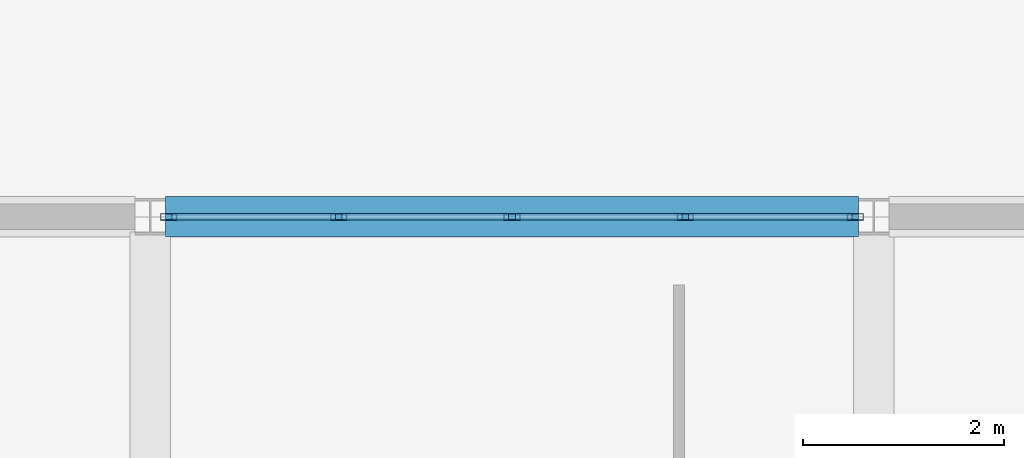
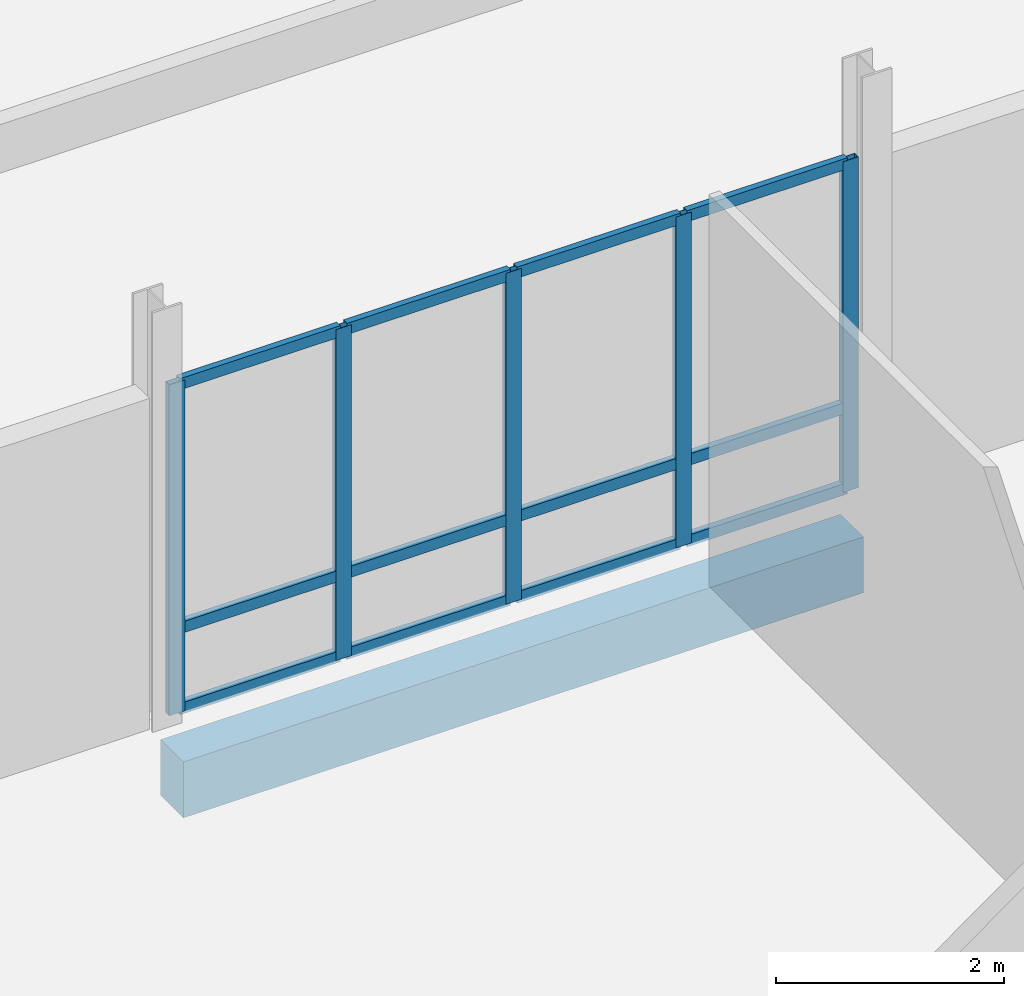
# One storey, part 46 of 139: 17 members, 1 beam, 1 element without a shape of its own.
"""IFC4 building model written with IfcOpenShell, lengths in metres."""

from ifc_helpers import new_model, si_unit, direction, frame, origin, origin_2d, place, context, subcontext, project, spatial, rectangle, hollow_rectangle, extrude, material, material_profile, profile_set, type_object, element, aggregate, save


model = new_model("IFC4")

# Units and contexts
model_context = context("Model", 3, precision=1e-05, world=origin(), true_north=direction((0.0, 1.0)))
body_context = subcontext(model_context, "Body", "Model", "MODEL_VIEW")
ifc_project = project(units=[si_unit("LENGTHUNIT", "METRE"), si_unit("AREAUNIT", "SQUARE_METRE"), si_unit("VOLUMEUNIT", "CUBIC_METRE"), si_unit("PLANEANGLEUNIT", "RADIAN"), si_unit("MASSUNIT", "GRAM", prefix="KILO")], contexts=[model_context])

# Site, building, storey
site_placement = place(None, origin())
site = spatial("IfcSite", under=ifc_project, at=site_placement, CompositionType="ELEMENT")
building_placement = place(site_placement, origin())
building = spatial("IfcBuilding", under=site, at=building_placement, Name="Suanplinth Sawtooth Commons", CompositionType="ELEMENT")
storey_placement = place(building_placement, origin())
storey = spatial("IfcBuildingStorey", under=building, at=storey_placement, Name="L00", CompositionType="ELEMENT", Elevation=0.0)

# Beam
ifc_material_1 = material(Name="Precast concrete C40/50", Category="concrete")
ifc_material_profile_1 = material_profile(ifc_material_1, rectangle(XDim=0.39990234375, YDim=0.60009765625, at=origin_2d()), Name="PC-GDR 400x600")
ifc_profile_set_1 = profile_set([ifc_material_profile_1], Name="Precast concrete C40/50")
beam_type = type_object("IfcBeamType", Name="B-05", PredefinedType="USERDEFINED", material=ifc_profile_set_1)
beam_placement = place(storey_placement, frame((36.14990234375, 72.0, -0.7099609375), z_axis=(1.0, 0.0, 0.0), x_axis=(0.0, 1.0, 0.0)))
element("IfcBeam", 1, at=beam_placement, inside=storey, type_object=beam_type, Name="BMX-L00-MKT-5-10", ObjectType="GIRDER", PredefinedType="USERDEFINED", context=body_context, shape_type="SweptSolid", body=[
    extrude(rectangle(XDim=0.39990234375, YDim=0.60009765625, at=origin_2d()), origin(), (0.0, 0.0, 1.0), 6.900146484375),
])

# Curtain wall, members
ifc_material_2 = material(Name="Anodized aluminium and low-E glazing", Category="aluminium")
curtain_wall_type = type_object("IfcCurtainWallType", Name="CW-02", PredefinedType="USERDEFINED", material=ifc_material_2)
curtain_wall_placement = place(storey_placement, origin())
curtain_wall = element("IfcCurtainWall", 2, at=curtain_wall_placement, inside=storey, type_object=curtain_wall_type, Name="Curtain Wall CW-L00-MKT-N-5", ObjectType="CURTAIN WALL", PredefinedType="USERDEFINED")
ifc_material_3 = material(Name="Anodized aluminium 6063-T6", Category="aluminium")
ifc_material_profile_2 = material_profile(ifc_material_3, hollow_rectangle(XDim=0.06494140625, YDim=0.159912109375, WallThickness=0.00390625, at=origin_2d()), Name="ALU-MUL 65x160")
ifc_profile_set_2 = profile_set([ifc_material_profile_2], Name="Anodized aluminium 6063-T6")
member_type_1 = type_object("IfcMemberType", Name="M-13", PredefinedType="MULLION", material=ifc_profile_set_2)
member_1_placement = place(storey_placement, frame((36.1826171875, 72.0, 0.0), z_axis=(0.0, 0.0, 1.0), x_axis=(0.0, 1.0, 0.0)))
member_1 = element("IfcMember", 3, at=member_1_placement, type_object=member_type_1, Name="CW-02 mullion 1", PredefinedType="MULLION", context=body_context, shape_type="SweptSolid", body=[
    extrude(hollow_rectangle(XDim=0.06494140625, YDim=0.159912109375, WallThickness=0.00390625, at=origin_2d()), origin(), (0.0, 0.0, 1.0), 3.550048828125),
])
member_2_placement = place(storey_placement, frame((37.875, 72.0, 0.0), z_axis=(0.0, 0.0, 1.0), x_axis=(0.0, 1.0, 0.0)))
member_2 = element("IfcMember", 4, at=member_2_placement, type_object=member_type_1, Name="CW-02 mullion 2", PredefinedType="MULLION", context=body_context, shape_type="SweptSolid", body=[
    extrude(hollow_rectangle(XDim=0.06494140625, YDim=0.159912109375, WallThickness=0.00390625, at=origin_2d()), origin(), (0.0, 0.0, 1.0), 3.550048828125),
])
member_3_placement = place(storey_placement, frame((39.60009765625, 72.0, 0.0), z_axis=(0.0, 0.0, 1.0), x_axis=(0.0, 1.0, 0.0)))
member_3 = element("IfcMember", 5, at=member_3_placement, type_object=member_type_1, Name="CW-02 mullion 3", PredefinedType="MULLION", context=body_context, shape_type="SweptSolid", body=[
    extrude(hollow_rectangle(XDim=0.06494140625, YDim=0.159912109375, WallThickness=0.00390625, at=origin_2d()), origin(), (0.0, 0.0, 1.0), 3.550048828125),
])
member_4_placement = place(storey_placement, frame((41.324951171875, 72.0, 0.0), z_axis=(0.0, 0.0, 1.0), x_axis=(0.0, 1.0, 0.0)))
member_4 = element("IfcMember", 6, at=member_4_placement, type_object=member_type_1, Name="CW-02 mullion 4", PredefinedType="MULLION", context=body_context, shape_type="SweptSolid", body=[
    extrude(hollow_rectangle(XDim=0.06494140625, YDim=0.159912109375, WallThickness=0.00390625, at=origin_2d()), origin(), (0.0, 0.0, 1.0), 3.550048828125),
])
member_5_placement = place(storey_placement, frame((43.017578125, 72.0, 0.0), z_axis=(0.0, 0.0, 1.0), x_axis=(0.0, 1.0, 0.0)))
member_5 = element("IfcMember", 7, at=member_5_placement, type_object=member_type_1, Name="CW-02 mullion 5", PredefinedType="MULLION", context=body_context, shape_type="SweptSolid", body=[
    extrude(hollow_rectangle(XDim=0.06494140625, YDim=0.159912109375, WallThickness=0.00390625, at=origin_2d()), origin(), (0.0, 0.0, 1.0), 3.550048828125),
])
ifc_material_profile_3 = material_profile(ifc_material_3, hollow_rectangle(XDim=0.06494140625, YDim=0.1201171875, WallThickness=0.00390625, at=origin_2d()), Name="ALU-TRN 65x120")
ifc_profile_set_3 = profile_set([ifc_material_profile_3], Name="Anodized aluminium 6063-T6")
member_type_2 = type_object("IfcMemberType", Name="M-15", PredefinedType="USERDEFINED", material=ifc_profile_set_3)
member_6_placement = place(storey_placement, frame((36.215087890625, 72.0, 0.032470703125), z_axis=(1.0, 0.0, 0.0), x_axis=(0.0, 1.0, 0.0)))
member_6 = element("IfcMember", 8, at=member_6_placement, type_object=member_type_2, Name="CW-02 transom 1.1", ObjectType="TRANSOM", PredefinedType="USERDEFINED", context=body_context, shape_type="SweptSolid", body=[
    extrude(hollow_rectangle(XDim=0.06494140625, YDim=0.1201171875, WallThickness=0.00390625, at=origin_2d()), origin(), (0.0, 0.0, 1.0), 1.62744140625),
])
member_7_placement = place(storey_placement, frame((36.215087890625, 72.0, 0.89990234375), z_axis=(1.0, 0.0, 0.0), x_axis=(0.0, 1.0, 0.0)))
member_7 = element("IfcMember", 9, at=member_7_placement, type_object=member_type_2, Name="CW-02 transom 1.2", ObjectType="TRANSOM", PredefinedType="USERDEFINED", context=body_context, shape_type="SweptSolid", body=[
    extrude(hollow_rectangle(XDim=0.06494140625, YDim=0.1201171875, WallThickness=0.00390625, at=origin_2d()), origin(), (0.0, 0.0, 1.0), 1.62744140625),
])
member_8_placement = place(storey_placement, frame((36.215087890625, 72.0, 3.517578125), z_axis=(1.0, 0.0, 0.0), x_axis=(0.0, 1.0, 0.0)))
member_8 = element("IfcMember", 10, at=member_8_placement, type_object=member_type_2, Name="CW-02 transom 1.3", ObjectType="TRANSOM", PredefinedType="USERDEFINED", context=body_context, shape_type="SweptSolid", body=[
    extrude(hollow_rectangle(XDim=0.06494140625, YDim=0.1201171875, WallThickness=0.00390625, at=origin_2d()), origin(), (0.0, 0.0, 1.0), 1.62744140625),
])
member_9_placement = place(storey_placement, frame((37.907470703125, 72.0, 0.032470703125), z_axis=(1.0, 0.0, 0.0), x_axis=(0.0, 1.0, 0.0)))
member_9 = element("IfcMember", 11, at=member_9_placement, type_object=member_type_2, Name="CW-02 transom 2.1", ObjectType="TRANSOM", PredefinedType="USERDEFINED", context=body_context, shape_type="SweptSolid", body=[
    extrude(hollow_rectangle(XDim=0.06494140625, YDim=0.1201171875, WallThickness=0.00390625, at=origin_2d()), origin(), (0.0, 0.0, 1.0), 1.659912109375),
])
member_10_placement = place(storey_placement, frame((37.907470703125, 72.0, 0.89990234375), z_axis=(1.0, 0.0, 0.0), x_axis=(0.0, 1.0, 0.0)))
member_10 = element("IfcMember", 12, at=member_10_placement, type_object=member_type_2, Name="CW-02 transom 2.2", ObjectType="TRANSOM", PredefinedType="USERDEFINED", context=body_context, shape_type="SweptSolid", body=[
    extrude(hollow_rectangle(XDim=0.06494140625, YDim=0.1201171875, WallThickness=0.00390625, at=origin_2d()), origin(), (0.0, 0.0, 1.0), 1.659912109375),
])
member_11_placement = place(storey_placement, frame((37.907470703125, 72.0, 3.517578125), z_axis=(1.0, 0.0, 0.0), x_axis=(0.0, 1.0, 0.0)))
member_11 = element("IfcMember", 13, at=member_11_placement, type_object=member_type_2, Name="CW-02 transom 2.3", ObjectType="TRANSOM", PredefinedType="USERDEFINED", context=body_context, shape_type="SweptSolid", body=[
    extrude(hollow_rectangle(XDim=0.06494140625, YDim=0.1201171875, WallThickness=0.00390625, at=origin_2d()), origin(), (0.0, 0.0, 1.0), 1.659912109375),
])
member_12_placement = place(storey_placement, frame((39.632568359375, 72.0, 0.032470703125), z_axis=(1.0, 0.0, 0.0), x_axis=(0.0, 1.0, 0.0)))
member_12 = element("IfcMember", 14, at=member_12_placement, type_object=member_type_2, Name="CW-02 transom 3.1", ObjectType="TRANSOM", PredefinedType="USERDEFINED", context=body_context, shape_type="SweptSolid", body=[
    extrude(hollow_rectangle(XDim=0.06494140625, YDim=0.1201171875, WallThickness=0.00390625, at=origin_2d()), origin(), (0.0, 0.0, 1.0), 1.659912109375),
])
member_13_placement = place(storey_placement, frame((39.632568359375, 72.0, 0.89990234375), z_axis=(1.0, 0.0, 0.0), x_axis=(0.0, 1.0, 0.0)))
member_13 = element("IfcMember", 15, at=member_13_placement, type_object=member_type_2, Name="CW-02 transom 3.2", ObjectType="TRANSOM", PredefinedType="USERDEFINED", context=body_context, shape_type="SweptSolid", body=[
    extrude(hollow_rectangle(XDim=0.06494140625, YDim=0.1201171875, WallThickness=0.00390625, at=origin_2d()), origin(), (0.0, 0.0, 1.0), 1.659912109375),
])
member_14_placement = place(storey_placement, frame((39.632568359375, 72.0, 3.517578125), z_axis=(1.0, 0.0, 0.0), x_axis=(0.0, 1.0, 0.0)))
member_14 = element("IfcMember", 16, at=member_14_placement, type_object=member_type_2, Name="CW-02 transom 3.3", ObjectType="TRANSOM", PredefinedType="USERDEFINED", context=body_context, shape_type="SweptSolid", body=[
    extrude(hollow_rectangle(XDim=0.06494140625, YDim=0.1201171875, WallThickness=0.00390625, at=origin_2d()), origin(), (0.0, 0.0, 1.0), 1.659912109375),
])
member_15_placement = place(storey_placement, frame((41.357421875, 72.0, 0.032470703125), z_axis=(1.0, 0.0, 0.0), x_axis=(0.0, 1.0, 0.0)))
member_15 = element("IfcMember", 17, at=member_15_placement, type_object=member_type_2, Name="CW-02 transom 4.1", ObjectType="TRANSOM", PredefinedType="USERDEFINED", context=body_context, shape_type="SweptSolid", body=[
    extrude(hollow_rectangle(XDim=0.06494140625, YDim=0.1201171875, WallThickness=0.00390625, at=origin_2d()), origin(), (0.0, 0.0, 1.0), 1.627685546875),
])
member_16_placement = place(storey_placement, frame((41.357421875, 72.0, 0.89990234375), z_axis=(1.0, 0.0, 0.0), x_axis=(0.0, 1.0, 0.0)))
member_16 = element("IfcMember", 18, at=member_16_placement, type_object=member_type_2, Name="CW-02 transom 4.2", ObjectType="TRANSOM", PredefinedType="USERDEFINED", context=body_context, shape_type="SweptSolid", body=[
    extrude(hollow_rectangle(XDim=0.06494140625, YDim=0.1201171875, WallThickness=0.00390625, at=origin_2d()), origin(), (0.0, 0.0, 1.0), 1.627685546875),
])
member_17_placement = place(storey_placement, frame((41.357421875, 72.0, 3.517578125), z_axis=(1.0, 0.0, 0.0), x_axis=(0.0, 1.0, 0.0)))
member_17 = element("IfcMember", 19, at=member_17_placement, type_object=member_type_2, Name="CW-02 transom 4.3", ObjectType="TRANSOM", PredefinedType="USERDEFINED", context=body_context, shape_type="SweptSolid", body=[
    extrude(hollow_rectangle(XDim=0.06494140625, YDim=0.1201171875, WallThickness=0.00390625, at=origin_2d()), origin(), (0.0, 0.0, 1.0), 1.627685546875),
])
aggregate(curtain_wall, [member_1, member_2, member_3, member_4, member_5, member_6, member_7, member_8, member_9, member_10, member_11, member_12, member_13, member_14, member_15, member_16, member_17])

save(model, "model.ifc")
